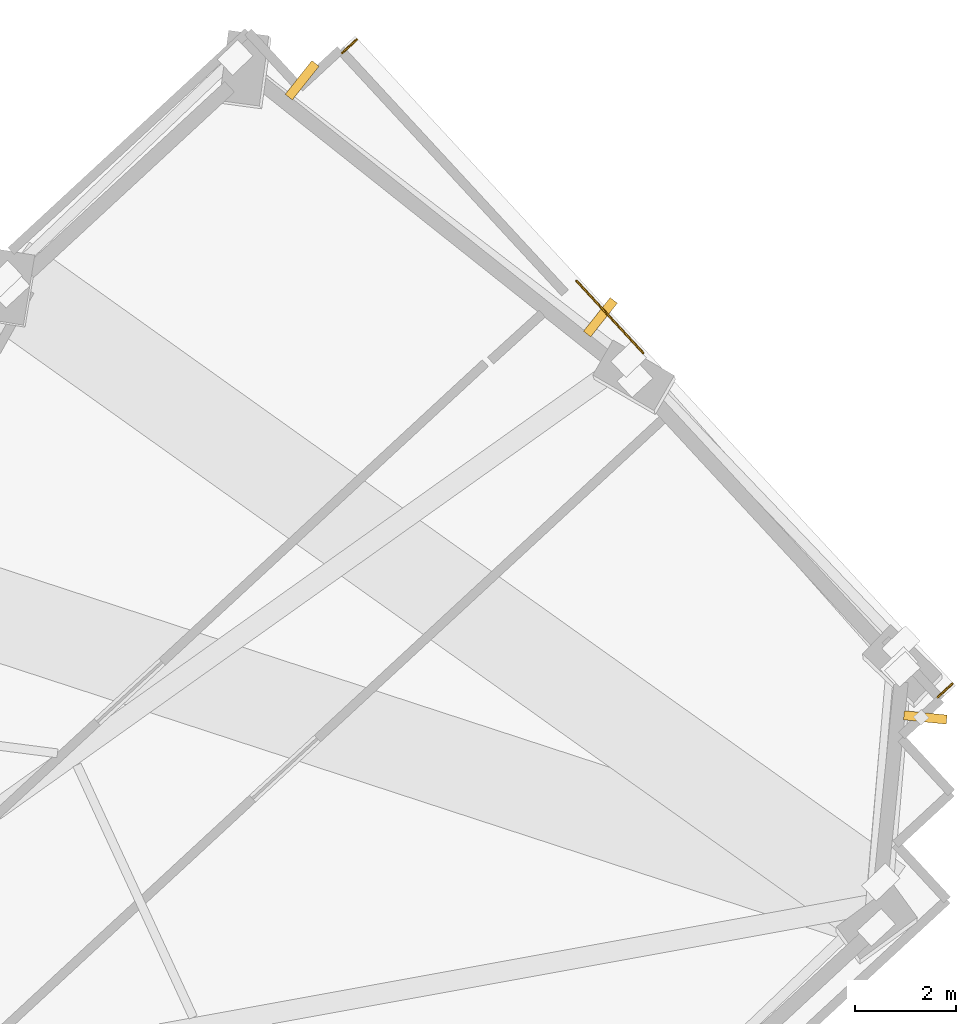
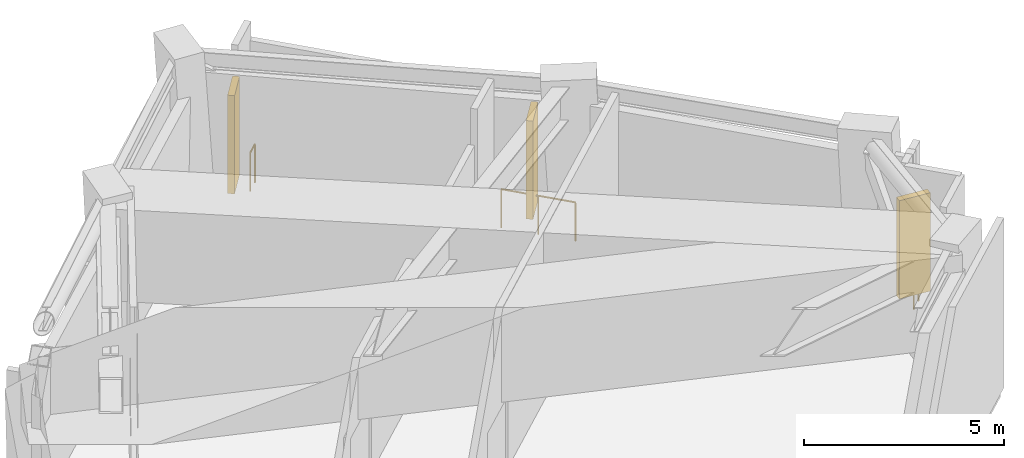
# One storey, part 15 of 15: 3 railings, 3 shading devices.
"""IFC4 building model written with IfcOpenShell, lengths in metres."""

from ifc_helpers import new_model, si_unit, direction, frame, origin, origin_2d, place, context, subcontext, project, spatial, rectangle, circle, extrude, material, layer, layer_set, type_object, element, save


model = new_model("IFC4")

# Units and contexts
model_context = context("Model", 3, precision=1e-05, world=origin(), true_north=direction((0.0, 1.0)))
body_context = subcontext(model_context, "Body", "Model", "MODEL_VIEW")
ifc_project = project(units=[si_unit("LENGTHUNIT", "METRE"), si_unit("AREAUNIT", "SQUARE_METRE"), si_unit("VOLUMEUNIT", "CUBIC_METRE"), si_unit("PLANEANGLEUNIT", "RADIAN"), si_unit("MASSUNIT", "GRAM", prefix="KILO")], contexts=[model_context])

# Site, building, storey
site_placement = place(None, origin())
site = spatial("IfcSite", under=ifc_project, at=site_placement, CompositionType="ELEMENT")
building_placement = place(site_placement, origin())
building = spatial("IfcBuilding", under=site, at=building_placement, Name="Gaonmaruhae Medical Tower", CompositionType="ELEMENT")
storey_placement = place(building_placement, frame((0.0, 0.0, 205.800048828125)))
storey = spatial("IfcBuildingStorey", under=building, at=storey_placement, Name="L49", CompositionType="ELEMENT", Elevation=205.800048828125)

# Railings
ifc_material_1 = material(Name="Stainless steel 316L and laminated safety glass", Category="steel")
ifc_layer = layer(ifc_material_1, 0.080078125)
ifc_layer_set = layer_set([ifc_layer], Name="Stainless steel 316L and laminated safety glass")
railing_type = type_object("IfcRailingType", Name="GD-120 Outdoor Terrace Safety Glass & Steel Balustrade", PredefinedType="BALUSTRADE", material=ifc_layer_set)
railing_1_placement = place(storey_placement, frame((63.7255859375, 25.779296875, 0.0)))
element("IfcRailing", 1, at=railing_1_placement, inside=storey, type_object=railing_type, Name="L49 Perimeter Slab Edge Safety Balustrade 05", PredefinedType="BALUSTRADE", context=body_context, shape_type="SweptSolid", body=[
    extrude(circle(Radius=0.02392578125, at=origin_2d()), frame((0.0, 0.0, 1.17578125), z_axis=(0.734184509359, 0.678950002738, 0.0), x_axis=(-0.678950002738, 0.734184509359, 0.0)), (0.0, 0.0, 1.0), 0.393310546875),
    extrude(circle(Radius=0.02099609375, at=origin_2d()), origin(), (0.0, 0.0, 1.0), 1.15185546875),
    extrude(circle(Radius=0.02099609375, at=origin_2d()), frame((0.288818359375, 0.26708984375, 0.0)), (0.0, 0.0, 1.0), 1.15185546875),
])
railing_2_placement = place(storey_placement, frame((57.8974609375, 32.58984375, 0.0)))
element("IfcRailing", 2, at=railing_2_placement, inside=storey, type_object=railing_type, Name="L49 Perimeter Slab Edge Safety Balustrade 06", PredefinedType="BALUSTRADE", context=body_context, shape_type="SweptSolid", body=[
    extrude(circle(Radius=0.02392578125, at=origin_2d()), frame((0.0, 0.0, 1.17578125), z_axis=(-0.678769789611, 0.734351123585, 0.0), x_axis=(-0.734351123585, -0.678769789611, 0.0)), (0.0, 0.0, 1.0), 1.94580078125),
    extrude(circle(Radius=0.02099609375, at=origin_2d()), origin(), (0.0, 0.0, 1.0), 1.15185546875),
    extrude(circle(Radius=0.02099609375, at=origin_2d()), frame((-0.660400390625, 0.71435546875, 0.0)), (0.0, 0.0, 1.0), 1.15185546875),
    extrude(circle(Radius=0.02099609375, at=origin_2d()), frame((-1.32080078125, 1.428955078125, 0.0)), (0.0, 0.0, 1.0), 1.15185546875),
])
railing_3_placement = place(storey_placement, frame((52.230224609375, 38.794189453125, 0.0)))
element("IfcRailing", 3, at=railing_3_placement, inside=storey, type_object=railing_type, Name="L49 Perimeter Slab Edge Safety Balustrade 07", PredefinedType="BALUSTRADE", context=body_context, shape_type="SweptSolid", body=[
    extrude(circle(Radius=0.02392578125, at=origin_2d()), frame((0.0, 0.0, 1.17578125), z_axis=(-0.734184509359, -0.678950002738, 0.0), x_axis=(0.678950002738, -0.734184509359, 0.0)), (0.0, 0.0, 1.0), 0.393310546875),
    extrude(circle(Radius=0.02099609375, at=origin_2d()), origin(), (0.0, 0.0, 1.0), 1.15185546875),
    extrude(circle(Radius=0.02099609375, at=origin_2d()), frame((-0.288818359375, -0.26708984375, 0.0)), (0.0, 0.0, 1.0), 1.15185546875),
])

# Shading devices
ifc_material_2 = material(Name="Pigmented coral precast concrete C45/55", Category="concrete")
shading_device_type = type_object("IfcShadingDeviceType", Name="SD-FIN1 Tower Vertical Coral Precast Shading Fin", PredefinedType="USERDEFINED", material=ifc_material_2)
for number, where, z_axis, x_axis, name in (
    (4, (63.478759765625, 25.37890625, 0.822509765625), (0.0, 0.0, 1.0), (-0.101108388876, -0.99487541617, 0.0), "L49 Vertical Coral Precast Shading Fin S07"),
    (5, (51.148193359375, 37.98681640625, 0.822509765625), (0.0, 0.0, 1.0), (0.783053418575, -0.62195445465, 0.0), "L49 Vertical Coral Precast Shading Fin E02"),
    (6, (57.050537109375, 33.298583984375, 0.822509765625), (0.0, 0.0, 1.0), (0.783053418575, -0.62195445465, 0.0), "L49 Vertical Coral Precast Shading Fin E02B"),
):
    element("IfcShadingDevice", number, at=place(storey_placement, frame(where, z_axis=z_axis, x_axis=x_axis)), inside=storey, type_object=shading_device_type, Name=name, ObjectType="FIN", PredefinedType="USERDEFINED", context=body_context, shape_type="SweptSolid", body=[
        extrude(rectangle(XDim=0.179931640625, YDim=0.85009765625, at=origin_2d()), origin(), (0.0, 0.0, 1.0), 3.0),
    ])

save(model, "model.ifc")
